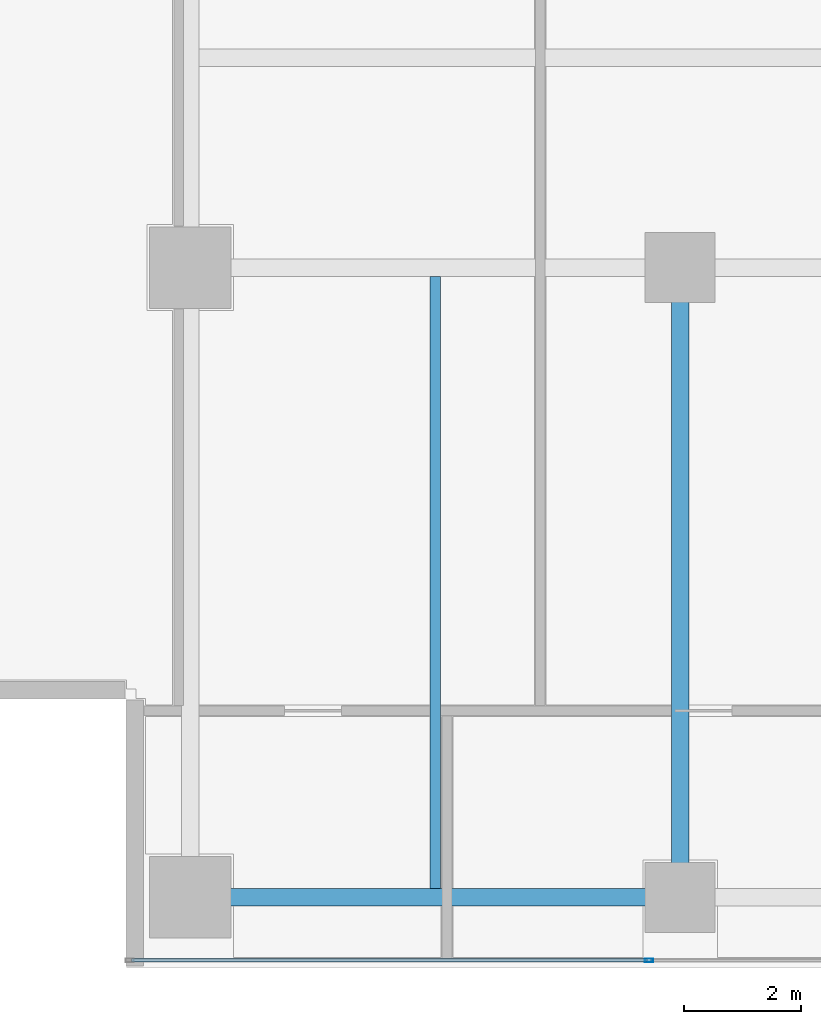
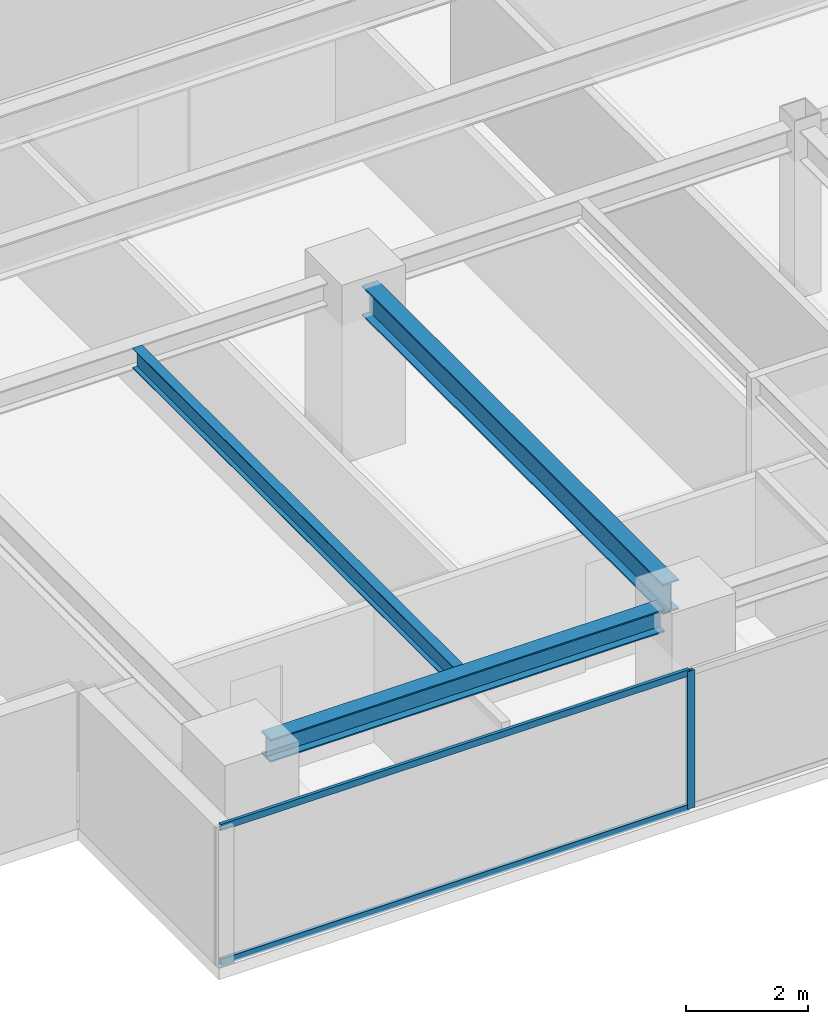
# One storey, part 3 of 26: 3 beams, 3 members, 1 element without a shape of its own.
"""IFC4 building model written with IfcOpenShell, lengths in metres."""

from ifc_helpers import new_model, si_unit, direction, frame, origin, origin_2d, place, context, subcontext, project, spatial, hollow_rectangle, i_section, extrude, source, transform, mapped, material, layer, layer_set, material_profile, profile_set, type_object, element, aggregate, save


model = new_model("IFC4")

# Units and contexts
model_context = context("Model", 3, precision=1e-05, world=origin(), true_north=direction((0.0, 1.0)))
body_context = subcontext(model_context, "Body", "Model", "MODEL_VIEW")
ifc_project = project(units=[si_unit("LENGTHUNIT", "METRE"), si_unit("AREAUNIT", "SQUARE_METRE"), si_unit("VOLUMEUNIT", "CUBIC_METRE"), si_unit("PLANEANGLEUNIT", "RADIAN"), si_unit("MASSUNIT", "GRAM", prefix="KILO")], contexts=[model_context])

# Site, building, storey
site_placement = place(None, origin())
site = spatial("IfcSite", under=ifc_project, at=site_placement, CompositionType="ELEMENT")
building_placement = place(site_placement, origin())
building = spatial("IfcBuilding", under=site, at=building_placement, Name="Sumidabori Civic Tower", CompositionType="ELEMENT")
storey_placement = place(building_placement, frame((0.0, 0.0, 254.0)))
storey = spatial("IfcBuildingStorey", under=building, at=storey_placement, Name="L66", CompositionType="ELEMENT", Elevation=254.0)

# Beams
ifc_material_1 = material(Name="Steel SN490", Category="steel")
ifc_material_profile_1 = material_profile(ifc_material_1, i_section(OverallWidth=0.300048828125, OverallDepth=0.60009765625, WebThickness=0.015380859375, FlangeThickness=0.030029296875, at=origin_2d()), Name="HE 600 B")
ifc_profile_set_1 = profile_set([ifc_material_profile_1], Name="Steel SN490")
beam_type_1 = type_object("IfcBeamType", Name="BM-GIRD-600", PredefinedType="BEAM", material=ifc_profile_set_1)
shared_shape_1 = source(origin(), body_context, "Body", "SweptSolid", [
    extrude(i_section(OverallWidth=0.300048828125, OverallDepth=0.60009765625, WebThickness=0.015380859375, FlangeThickness=0.030029296875, at=origin_2d()), origin(), (0.0, 0.0, 1.0), 9.840087890625),
])
beam_1_placement = place(storey_placement, frame((-8.39990234375, -10.320068359375, 3.070068359375), z_axis=(0.0, 1.0, 0.0), x_axis=(-1.0, 0.0, 0.0)))
element("IfcBeam", 1, at=beam_1_placement, inside=storey, type_object=beam_type_1, Name="Primary Girder L66 GY-12", PredefinedType="BEAM", context=body_context, shape_type="MappedRepresentation", body=[
    mapped(shared_shape_1, transform((0.0, 0.0, 0.0), x_axis=(1.0, 0.0, 0.0), y_axis=(0.0, 1.0, 0.0), z_axis=(0.0, 0.0, 1.0), scale=1.0)),
])
ifc_material_profile_2 = material_profile(ifc_material_1, i_section(OverallWidth=0.300048828125, OverallDepth=0.449951171875, WebThickness=0.013916015625, FlangeThickness=0.02587890625, at=origin_2d()), Name="HE 450 B")
ifc_profile_set_2 = profile_set([ifc_material_profile_2], Name="Steel SN490")
beam_type_2 = type_object("IfcBeamType", Name="BM-GIRD-450", PredefinedType="BEAM", material=ifc_profile_set_2)
shared_shape_2 = source(origin(), body_context, "Body", "SweptSolid", [
    extrude(i_section(OverallWidth=0.300048828125, OverallDepth=0.449951171875, WebThickness=0.013916015625, FlangeThickness=0.02587890625, at=origin_2d()), origin(), (0.0, 0.0, 1.0), 7.440185546875),
])
beam_2_placement = place(storey_placement, frame((-16.320068359375, -10.800048828125, 3.14501953125), z_axis=(1.0, 0.0, 0.0), x_axis=(0.0, 1.0, 0.0)))
element("IfcBeam", 2, at=beam_2_placement, inside=storey, type_object=beam_type_2, Name="Primary Girder L66 GX-01", PredefinedType="BEAM", context=body_context, shape_type="MappedRepresentation", body=[
    mapped(shared_shape_2, transform((0.0, 0.0, 0.0), x_axis=(1.0, 0.0, 0.0), y_axis=(0.0, 1.0, 0.0), z_axis=(0.0, 0.0, 1.0), scale=1.0)),
])
ifc_material_profile_3 = material_profile(ifc_material_1, i_section(OverallWidth=0.179931640625, OverallDepth=0.39990234375, WebThickness=0.008544921875, FlangeThickness=0.013427734375, at=origin_2d()), Name="IPE 400")
ifc_profile_set_3 = profile_set([ifc_material_profile_3], Name="Steel SN490")
beam_type_3 = type_object("IfcBeamType", Name="BM-JST-400", PredefinedType="JOIST", material=ifc_profile_set_3)
shared_shape_3 = source(origin(), body_context, "Body", "SweptSolid", [
    extrude(i_section(OverallWidth=0.179931640625, OverallDepth=0.39990234375, WebThickness=0.008544921875, FlangeThickness=0.013427734375, at=origin_2d()), origin(), (0.0, 0.0, 1.0), 10.5),
])
beam_3_placement = place(storey_placement, frame((-12.60009765625, -10.64990234375, 3.169921875), z_axis=(0.0, 1.0, 0.0), x_axis=(-1.0, 0.0, 0.0)))
element("IfcBeam", 3, at=beam_3_placement, inside=storey, type_object=beam_type_3, Name="Upper Lens N-S Floor Joist L66 JSTV-20", PredefinedType="JOIST", context=body_context, shape_type="MappedRepresentation", body=[
    mapped(shared_shape_3, transform((0.0, 0.0, 0.0), x_axis=(1.0, 0.0, 0.0), y_axis=(0.0, 1.0, 0.0), z_axis=(0.0, 0.0, 1.0), scale=1.0)),
])

# Curtain wall, members
ifc_material_2 = material(Name="Anodised Bronze Aluminium AW-6063-T6", Category="aluminium")
ifc_layer = layer(ifc_material_2, 0.179931640625, Name="Anodised Bronze Aluminium AW-6063-T6")
ifc_layer_set = layer_set([ifc_layer], Name="Anodised Bronze Aluminium AW-6063-T6")
curtain_wall_type = type_object("IfcCurtainWallType", Name="CW-SYS-5", PredefinedType="NOTDEFINED", material=ifc_layer_set)
curtain_wall_placement = place(storey_placement, origin())
curtain_wall = element("IfcCurtainWall", 4, at=curtain_wall_placement, inside=storey, type_object=curtain_wall_type, Name="Curtain Wall CW:L66:R01", PredefinedType="NOTDEFINED")
ifc_material_profile_4 = material_profile(ifc_material_2, hollow_rectangle(XDim=0.06005859375, YDim=0.139892578125, WallThickness=0.0048828125, at=origin_2d()), Name="ALU MULLION 140x60")
ifc_profile_set_4 = profile_set([ifc_material_profile_4], Name="Anodised Bronze Aluminium AW-6063-T6")
member_type_1 = type_object("IfcMemberType", Name="CW-MUL-140", PredefinedType="MULLION", material=ifc_profile_set_4)
shared_shape_4 = source(origin(), body_context, "Body", "SweptSolid", [
    extrude(hollow_rectangle(XDim=0.06005859375, YDim=0.139892578125, WallThickness=0.0048828125, at=origin_2d()), origin(), (0.0, 0.0, 1.0), 2.75),
])
member_1_placement = place(storey_placement, frame((-8.93505859375, -11.8798828125, 0.0), z_axis=(0.0, 0.0, 1.0), x_axis=(0.0, 1.0, 0.0)))
member_1 = element("IfcMember", 5, at=member_1_placement, type_object=member_type_1, Name="CW-5 mullion 2", PredefinedType="MULLION", context=body_context, shape_type="MappedRepresentation", body=[
    mapped(shared_shape_4, transform((0.0, 0.0, 0.0), x_axis=(1.0, 0.0, 0.0), y_axis=(0.0, 1.0, 0.0), z_axis=(0.0, 0.0, 1.0), scale=1.0)),
])
ifc_material_profile_5 = material_profile(ifc_material_2, hollow_rectangle(XDim=0.06005859375, YDim=0.1298828125, WallThickness=0.0048828125, at=origin_2d()), Name="ALU TRANSOM 130x60")
ifc_profile_set_5 = profile_set([ifc_material_profile_5], Name="Anodised Bronze Aluminium AW-6063-T6")
member_type_2 = type_object("IfcMemberType", Name="CW-TRN-130", PredefinedType="USERDEFINED", material=ifc_profile_set_5)
shared_shape_5 = source(origin(), body_context, "Body", "SweptSolid", [
    extrude(hollow_rectangle(XDim=0.06005859375, YDim=0.1298828125, WallThickness=0.0048828125, at=origin_2d()), origin(), (0.0, 0.0, 1.0), 8.844970703125),
])
member_2_placement = place(storey_placement, frame((-17.81005859375, -11.8798828125, 0.030029296875), z_axis=(1.0, 0.0, 0.0), x_axis=(0.0, 1.0, 0.0)))
member_2 = element("IfcMember", 6, at=member_2_placement, type_object=member_type_2, Name="CW-5 transom 1.1", ObjectType="TRANSOM", PredefinedType="USERDEFINED", context=body_context, shape_type="MappedRepresentation", body=[
    mapped(shared_shape_5, transform((0.0, 0.0, 0.0), x_axis=(1.0, 0.0, 0.0), y_axis=(0.0, 1.0, 0.0), z_axis=(0.0, 0.0, 1.0), scale=1.0)),
])
member_3_placement = place(storey_placement, frame((-17.81005859375, -11.8798828125, 2.719970703125), z_axis=(1.0, 0.0, 0.0), x_axis=(0.0, 1.0, 0.0)))
member_3 = element("IfcMember", 7, at=member_3_placement, type_object=member_type_2, Name="CW-5 transom 1.2", ObjectType="TRANSOM", PredefinedType="USERDEFINED", context=body_context, shape_type="MappedRepresentation", body=[
    mapped(shared_shape_5, transform((0.0, 0.0, 0.0), x_axis=(1.0, 0.0, 0.0), y_axis=(0.0, 1.0, 0.0), z_axis=(0.0, 0.0, 1.0), scale=1.0)),
])
aggregate(curtain_wall, [member_1, member_2, member_3])

save(model, "model.ifc")
